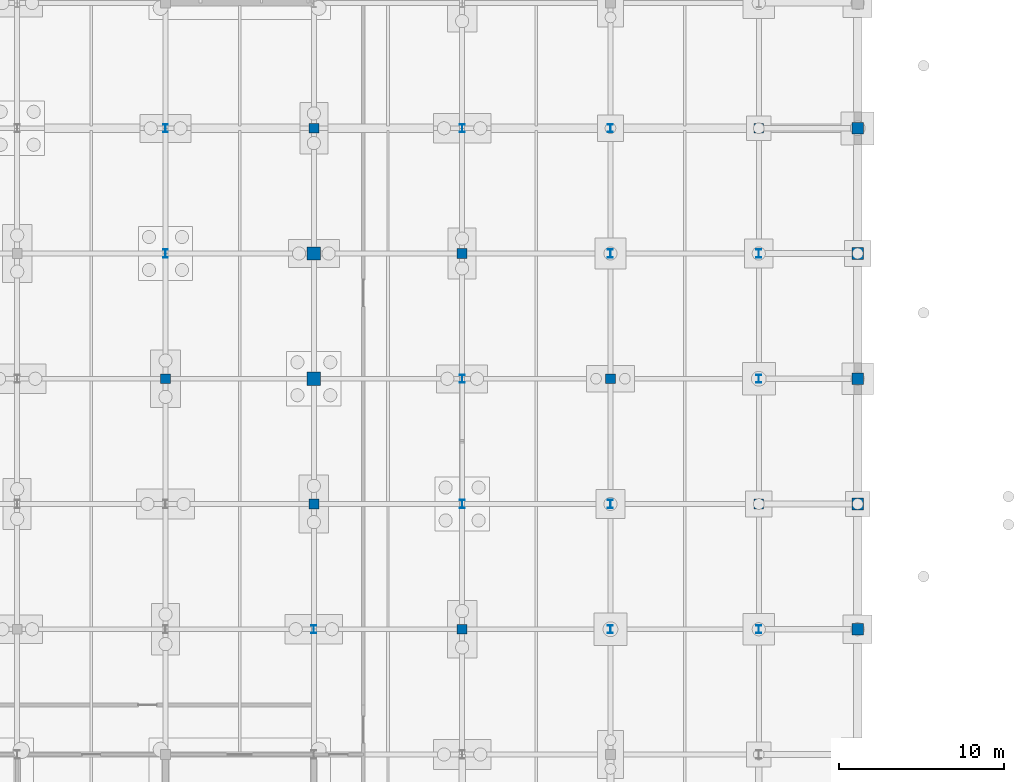
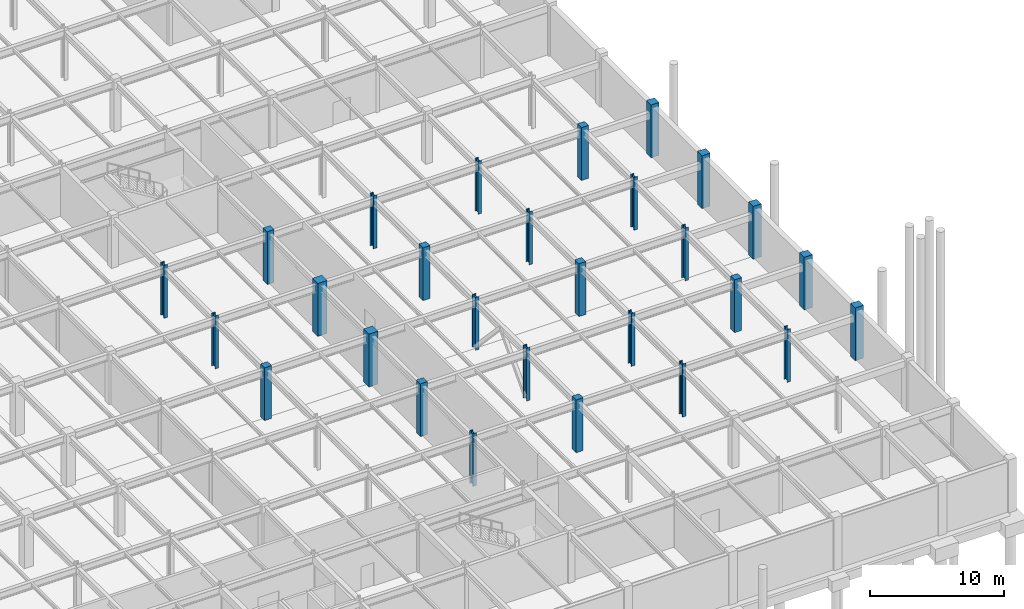
# One storey, part 26 of 53: 28 columns.
"""IFC4 building model written with IfcOpenShell, lengths in metres."""

from ifc_helpers import new_model, si_unit, direction, frame, origin, origin_2d, place, context, subcontext, project, spatial, rectangle, i_section, extrude, material, material_profile, profile_set, type_object, element, save


model = new_model("IFC4")

# Units and contexts
model_context = context("Model", 3, precision=1e-05, world=origin(), true_north=direction((0.0, 1.0)))
body_context = subcontext(model_context, "Body", "Model", "MODEL_VIEW")
ifc_project = project(units=[si_unit("LENGTHUNIT", "METRE"), si_unit("AREAUNIT", "SQUARE_METRE"), si_unit("VOLUMEUNIT", "CUBIC_METRE"), si_unit("PLANEANGLEUNIT", "RADIAN"), si_unit("MASSUNIT", "GRAM", prefix="KILO")], contexts=[model_context])

# Site, building, storey
site_placement = place(None, origin())
site = spatial("IfcSite", under=ifc_project, at=site_placement, CompositionType="ELEMENT")
building_placement = place(site_placement, origin())
building = spatial("IfcBuilding", under=site, at=building_placement, Name="Shalkamar Park Central Library", CompositionType="ELEMENT")
storey_placement = place(building_placement, frame((0.0, 0.0, -4.800048828125)))
storey = spatial("IfcBuildingStorey", under=building, at=storey_placement, Name="B1", CompositionType="ELEMENT", Elevation=-4.800048828125)

# Columns
ifc_material_1 = material(Name="Concrete C40/50", Category="concrete")
ifc_material_profile_1 = material_profile(ifc_material_1, rectangle(XDim=0.60009765625, YDim=0.60009765625, at=origin_2d()), Name="RC 600x600")
ifc_profile_set_1 = profile_set([ifc_material_profile_1], Name="Concrete C40/50")
column_type_1 = type_object("IfcColumnType", Name="Column Concrete RC600", PredefinedType="COLUMN", material=ifc_profile_set_1)
for number, where, z_axis, x_axis, name in (
    (1, (246.0, 278.0, 0.0), (0.0, 0.0, 1.0), (1.0, 0.0, 0.0), "Column 17/F (B1)"),
    (2, (255.0, 270.39990234375, 0.0), (0.0, 0.0, 1.0), (1.0, 0.0, 0.0), "Column 18/E (B1)"),
    (3, (255.0, 293.199951171875, 0.0), (0.0, 0.0, 1.0), (1.0, 0.0, 0.0), "Column 18/H (B1)"),
    (4, (264.0, 262.800048828125, 0.0), (0.0, 0.0, 1.0), (1.0, 0.0, 0.0), "Column 19/D (B1)"),
    (5, (264.0, 285.60009765625, 0.0), (0.0, 0.0, 1.0), (1.0, 0.0, 0.0), "Column 19/G (B1)"),
    (6, (273.0, 278.0, 0.0), (0.0, 0.0, 1.0), (1.0, 0.0, 0.0), "Column 20/F (B1)"),
    (7, (282.0, 270.39990234375, 0.0), (0.0, 0.0, 1.0), (1.0, 0.0, 0.0), "Column 21/E (B1)"),
    (8, (282.0, 293.199951171875, 0.0), (0.0, 0.0, 1.0), (1.0, 0.0, 0.0), "Column 21/H (B1)"),
):
    element("IfcColumn", number, at=place(storey_placement, frame(where, z_axis=z_axis, x_axis=x_axis)), inside=storey, type_object=column_type_1, Name=name, PredefinedType="COLUMN", context=body_context, shape_type="SweptSolid", body=[
        extrude(rectangle(XDim=0.60009765625, YDim=0.60009765625, at=origin_2d()), origin(), (0.0, 0.0, 1.0), 4.800048828125),
    ])
ifc_material_profile_2 = material_profile(ifc_material_1, rectangle(XDim=0.699951171875, YDim=0.699951171875, at=origin_2d()), Name="RC 700x700")
ifc_profile_set_2 = profile_set([ifc_material_profile_2], Name="Concrete C40/50")
column_type_2 = type_object("IfcColumnType", Name="Column Concrete RC700", PredefinedType="COLUMN", material=ifc_profile_set_2)
for number, where, z_axis, x_axis, name in (
    (9, (288.0, 262.800048828125, 0.0), (0.0, 0.0, 1.0), (1.0, 0.0, 0.0), "Column 22/D (B1)"),
    (10, (288.0, 270.39990234375, 0.0), (0.0, 0.0, 1.0), (1.0, 0.0, 0.0), "Column 22/E (B1)"),
    (11, (288.0, 278.0, 0.0), (0.0, 0.0, 1.0), (1.0, 0.0, 0.0), "Column 22/F (B1)"),
    (12, (288.0, 285.60009765625, 0.0), (0.0, 0.0, 1.0), (1.0, 0.0, 0.0), "Column 22/G (B1)"),
    (13, (288.0, 293.199951171875, 0.0), (0.0, 0.0, 1.0), (1.0, 0.0, 0.0), "Column 22/H (B1)"),
):
    element("IfcColumn", number, at=place(storey_placement, frame(where, z_axis=z_axis, x_axis=x_axis)), inside=storey, type_object=column_type_2, Name=name, PredefinedType="COLUMN", context=body_context, shape_type="SweptSolid", body=[
        extrude(rectangle(XDim=0.699951171875, YDim=0.699951171875, at=origin_2d()), origin(), (0.0, 0.0, 1.0), 4.800048828125),
    ])
ifc_material_profile_3 = material_profile(ifc_material_1, rectangle(XDim=0.800048828125, YDim=0.800048828125, at=origin_2d()), Name="RC 800x800")
ifc_profile_set_3 = profile_set([ifc_material_profile_3], Name="Concrete C40/50")
column_type_3 = type_object("IfcColumnType", Name="Column Concrete RC800", PredefinedType="COLUMN", material=ifc_profile_set_3)
for number, where, z_axis, x_axis, name in (
    (14, (255.0, 278.0, 0.0), (0.0, 0.0, 1.0), (1.0, 0.0, 0.0), "Column 18/F (B1)"),
    (15, (255.0, 285.60009765625, 0.0), (0.0, 0.0, 1.0), (1.0, 0.0, 0.0), "Column 18/G (B1)"),
):
    element("IfcColumn", number, at=place(storey_placement, frame(where, z_axis=z_axis, x_axis=x_axis)), inside=storey, type_object=column_type_3, Name=name, PredefinedType="COLUMN", context=body_context, shape_type="SweptSolid", body=[
        extrude(rectangle(XDim=0.800048828125, YDim=0.800048828125, at=origin_2d()), origin(), (0.0, 0.0, 1.0), 4.800048828125),
    ])
ifc_material_2 = material(Name="Steel S355", Category="steel")
ifc_material_profile_4 = material_profile(ifc_material_2, i_section(OverallWidth=0.300048828125, OverallDepth=0.5, WebThickness=0.014404296875, FlangeThickness=0.028076171875, FilletRadius=0.027099609375, at=origin_2d()), Name="HEB 500")
ifc_profile_set_4 = profile_set([ifc_material_profile_4], Name="Steel S355")
column_type_4 = type_object("IfcColumnType", Name="Column Steel HEB500", PredefinedType="COLUMN", material=ifc_profile_set_4)
for number, where, z_axis, x_axis, name in (
    (16, (246.0, 285.60009765625, 0.0), (0.0, 0.0, 1.0), (1.0, 0.0, 0.0), "Column 17/G (B1)"),
    (17, (246.0, 293.199951171875, 0.0), (0.0, 0.0, 1.0), (1.0, 0.0, 0.0), "Column 17/H (B1)"),
    (18, (255.0, 262.800048828125, 0.0), (0.0, 0.0, 1.0), (1.0, 0.0, 0.0), "Column 18/D (B1)"),
    (19, (264.0, 270.39990234375, 0.0), (0.0, 0.0, 1.0), (1.0, 0.0, 0.0), "Column 19/E (B1)"),
    (20, (264.0, 278.0, 0.0), (0.0, 0.0, 1.0), (1.0, 0.0, 0.0), "Column 19/F (B1)"),
    (21, (264.0, 293.199951171875, 0.0), (0.0, 0.0, 1.0), (1.0, 0.0, 0.0), "Column 19/H (B1)"),
    (22, (273.0, 262.800048828125, 0.0), (0.0, 0.0, 1.0), (1.0, 0.0, 0.0), "Column 20/D (B1)"),
    (23, (273.0, 270.39990234375, 0.0), (0.0, 0.0, 1.0), (1.0, 0.0, 0.0), "Column 20/E (B1)"),
    (24, (273.0, 285.60009765625, 0.0), (0.0, 0.0, 1.0), (1.0, 0.0, 0.0), "Column 20/G (B1)"),
    (25, (273.0, 293.199951171875, 0.0), (0.0, 0.0, 1.0), (1.0, 0.0, 0.0), "Column 20/H (B1)"),
    (26, (282.0, 262.800048828125, 0.0), (0.0, 0.0, 1.0), (1.0, 0.0, 0.0), "Column 21/D (B1)"),
    (27, (282.0, 278.0, 0.0), (0.0, 0.0, 1.0), (1.0, 0.0, 0.0), "Column 21/F (B1)"),
    (28, (282.0, 285.60009765625, 0.0), (0.0, 0.0, 1.0), (1.0, 0.0, 0.0), "Column 21/G (B1)"),
):
    element("IfcColumn", number, at=place(storey_placement, frame(where, z_axis=z_axis, x_axis=x_axis)), inside=storey, type_object=column_type_4, Name=name, PredefinedType="COLUMN", context=body_context, shape_type="SweptSolid", body=[
        extrude(i_section(OverallWidth=0.300048828125, OverallDepth=0.5, WebThickness=0.014404296875, FlangeThickness=0.028076171875, FilletRadius=0.027099609375, at=origin_2d()), origin(), (0.0, 0.0, 1.0), 4.800048828125),
    ])

save(model, "model.ifc")
